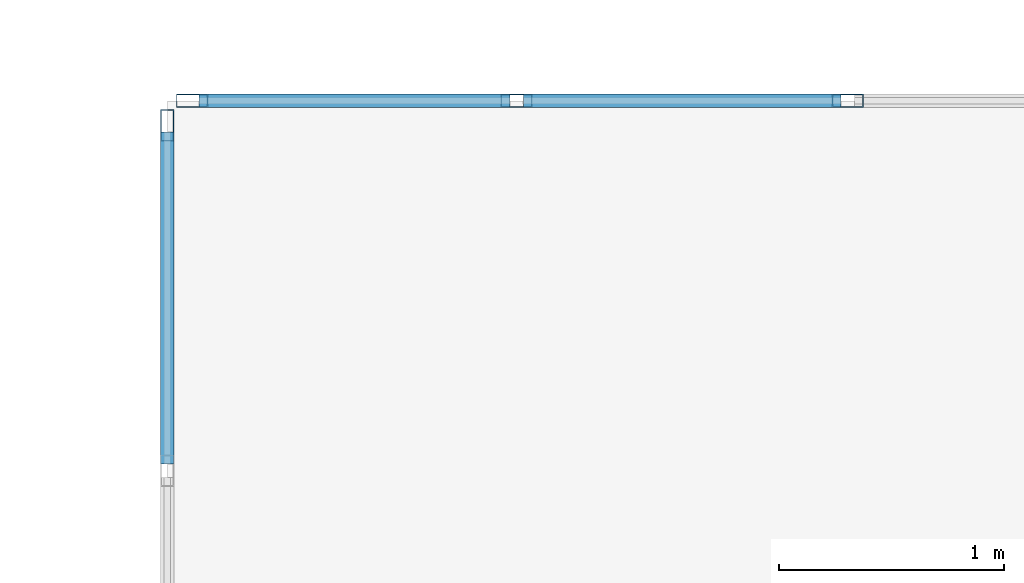
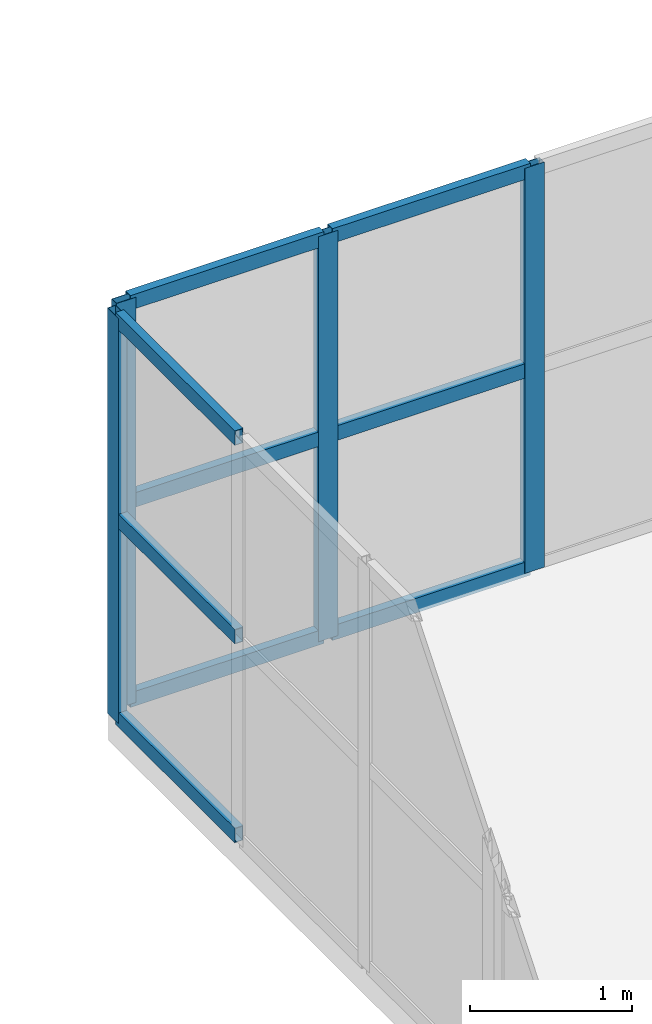
# One storey, part 72 of 148: 13 members, 2 elements without a shape of their own.
"""IFC4 building model written with IfcOpenShell, lengths in metres."""

from ifc_helpers import new_model, si_unit, direction, frame, origin, origin_2d, place, context, subcontext, project, spatial, hollow_rectangle, extrude, material, layer, layer_set, material_profile, profile_set, type_object, element, aggregate, save


model = new_model("IFC4")

# Units and contexts
model_context = context("Model", 3, precision=1e-05, world=origin(), true_north=direction((0.0, 1.0)))
body_context = subcontext(model_context, "Body", "Model", "MODEL_VIEW")
ifc_project = project(units=[si_unit("LENGTHUNIT", "METRE"), si_unit("AREAUNIT", "SQUARE_METRE"), si_unit("VOLUMEUNIT", "CUBIC_METRE"), si_unit("PLANEANGLEUNIT", "RADIAN"), si_unit("MASSUNIT", "GRAM", prefix="KILO")], contexts=[model_context])

# Site, building, storey
site_placement = place(None, origin())
site = spatial("IfcSite", under=ifc_project, at=site_placement, CompositionType="ELEMENT")
building_placement = place(site_placement, origin())
building = spatial("IfcBuilding", under=site, at=building_placement, Name="Trelvath General Hospital", CompositionType="ELEMENT")
storey_placement = place(building_placement, frame((0.0, 0.0, 12.89990234375)))
storey = spatial("IfcBuildingStorey", under=building, at=storey_placement, Name="L03", CompositionType="ELEMENT", Elevation=12.89990234375)

# Curtain wall, members
ifc_material_1 = material(Name="Anodised aluminium and low-E glass", Category="aluminium")
ifc_layer_1 = layer(ifc_material_1, 0.14990234375)
ifc_layer_set_1 = layer_set([ifc_layer_1], Name="Anodised aluminium and low-E glass")
curtain_wall_type_1 = type_object("IfcCurtainWallType", Name="CW CrystalCube 737 306 15", PredefinedType="USERDEFINED", material=ifc_layer_set_1)
curtain_wall_1_placement = place(storey_placement, origin())
curtain_wall_1 = element("IfcCurtainWall", 1, at=curtain_wall_1_placement, inside=storey, type_object=curtain_wall_type_1, Name="Crystal Cube Curtain Wall CUBE-E-T1 N1 L03", ObjectType="Unitised Glazed Curtain Wall", PredefinedType="USERDEFINED")
ifc_material_2 = material(Name="Anodised aluminium", Category="aluminium")
ifc_material_profile_1 = material_profile(ifc_material_2, hollow_rectangle(XDim=0.06005859375, YDim=0.139892578125, WallThickness=0.00390625, at=origin_2d()), Name="RHS60x140x4")
ifc_profile_set_1 = profile_set([ifc_material_profile_1], Name="Anodised aluminium")
member_type_1 = type_object("IfcMemberType", Name="CurtainMullion 60x140", PredefinedType="MULLION", material=ifc_profile_set_1)
member_1_placement = place(storey_placement, frame((92.510009765625, 80.39990234375, 0.0), z_axis=(0.0, 0.0, 1.0), x_axis=(0.0, 1.0, 0.0)))
member_1 = element("IfcMember", 2, at=member_1_placement, type_object=member_type_1, Name="CW-247 mullion 1", PredefinedType="MULLION", context=body_context, shape_type="SweptSolid", body=[
    extrude(hollow_rectangle(XDim=0.06005859375, YDim=0.139892578125, WallThickness=0.00390625, at=origin_2d()), origin(), (0.0, 0.0, 1.0), 3.06005859375),
])
member_2_placement = place(storey_placement, frame((93.953369140625, 80.39990234375, 0.0), z_axis=(0.0, 0.0, 1.0), x_axis=(0.0, 1.0, 0.0)))
member_2 = element("IfcMember", 3, at=member_2_placement, type_object=member_type_1, Name="CW-247 mullion 2", PredefinedType="MULLION", context=body_context, shape_type="SweptSolid", body=[
    extrude(hollow_rectangle(XDim=0.06005859375, YDim=0.139892578125, WallThickness=0.00390625, at=origin_2d()), origin(), (0.0, 0.0, 1.0), 3.06005859375),
])
member_3_placement = place(storey_placement, frame((95.4267578125, 80.39990234375, 0.0), z_axis=(0.0, 0.0, 1.0), x_axis=(0.0, 1.0, 0.0)))
member_3 = element("IfcMember", 4, at=member_3_placement, type_object=member_type_1, Name="CW-247 mullion 3", PredefinedType="MULLION", context=body_context, shape_type="SweptSolid", body=[
    extrude(hollow_rectangle(XDim=0.06005859375, YDim=0.139892578125, WallThickness=0.00390625, at=origin_2d()), origin(), (0.0, 0.0, 1.0), 3.06005859375),
])

# Curtain wall, member
ifc_material_3 = material(Name="Anodised aluminium and low-E glass", Category="aluminium")
ifc_layer_2 = layer(ifc_material_3, 0.14990234375)
ifc_layer_set_2 = layer_set([ifc_layer_2], Name="Anodised aluminium and low-E glass")
curtain_wall_type_2 = type_object("IfcCurtainWallType", Name="CW CrystalCube 470 306 15", PredefinedType="USERDEFINED", material=ifc_layer_set_2)
curtain_wall_2_placement = place(storey_placement, origin())
curtain_wall_2 = element("IfcCurtainWall", 5, at=curtain_wall_2_placement, inside=storey, type_object=curtain_wall_type_2, Name="Crystal Cube Curtain Wall CUBE-E-T1 W5 L03", ObjectType="Unitised Glazed Curtain Wall", PredefinedType="USERDEFINED")
member_4_placement = place(storey_placement, frame((92.39990234375, 80.2900390625, 0.0), z_axis=(0.0, 0.0, 1.0), x_axis=(-1.0, 0.0, 0.0)))
member_4 = element("IfcMember", 6, at=member_4_placement, type_object=member_type_1, Name="CW-257 mullion 4", PredefinedType="MULLION", context=body_context, shape_type="SweptSolid", body=[
    extrude(hollow_rectangle(XDim=0.06005859375, YDim=0.139892578125, WallThickness=0.00390625, at=origin_2d()), origin(), (0.0, 0.0, 1.0), 3.06005859375),
])

# Member
ifc_material_4 = material(Name="Anodised aluminium", Category="aluminium")
ifc_material_profile_2 = material_profile(ifc_material_4, hollow_rectangle(XDim=0.06005859375, YDim=0.110107421875, WallThickness=0.00390625, at=origin_2d()), Name="RHS60x110x4")
ifc_profile_set_2 = profile_set([ifc_material_profile_2], Name="Anodised aluminium")
member_type_2 = type_object("IfcMemberType", Name="CurtainTransom 60x110", PredefinedType="USERDEFINED", material=ifc_profile_set_2)
member_5_placement = place(storey_placement, frame((92.5400390625, 80.39990234375, 0.030029296875), z_axis=(1.0, 0.0, 0.0), x_axis=(0.0, 1.0, 0.0)))
member_5 = element("IfcMember", 7, at=member_5_placement, type_object=member_type_2, Name="CW-247 transom 1.1", ObjectType="TRANSOM", PredefinedType="USERDEFINED", context=body_context, shape_type="SweptSolid", body=[
    extrude(hollow_rectangle(XDim=0.06005859375, YDim=0.110107421875, WallThickness=0.00390625, at=origin_2d()), origin(), (0.0, 0.0, 1.0), 1.38330078125),
])

member_6_placement = place(storey_placement, frame((92.5400390625, 80.39990234375, 1.530029296875), z_axis=(1.0, 0.0, 0.0), x_axis=(0.0, 1.0, 0.0)))
member_6 = element("IfcMember", 8, at=member_6_placement, type_object=member_type_2, Name="CW-247 transom 1.2", ObjectType="TRANSOM", PredefinedType="USERDEFINED", context=body_context, shape_type="SweptSolid", body=[
    extrude(hollow_rectangle(XDim=0.06005859375, YDim=0.110107421875, WallThickness=0.00390625, at=origin_2d()), origin(), (0.0, 0.0, 1.0), 1.38330078125),
])

member_7_placement = place(storey_placement, frame((92.5400390625, 80.39990234375, 3.030029296875), z_axis=(1.0, 0.0, 0.0), x_axis=(0.0, 1.0, 0.0)))
member_7 = element("IfcMember", 9, at=member_7_placement, type_object=member_type_2, Name="CW-247 transom 1.3", ObjectType="TRANSOM", PredefinedType="USERDEFINED", context=body_context, shape_type="SweptSolid", body=[
    extrude(hollow_rectangle(XDim=0.06005859375, YDim=0.110107421875, WallThickness=0.00390625, at=origin_2d()), origin(), (0.0, 0.0, 1.0), 1.38330078125),
])

member_8_placement = place(storey_placement, frame((93.9833984375, 80.39990234375, 0.030029296875), z_axis=(1.0, 0.0, 0.0), x_axis=(0.0, 1.0, 0.0)))
member_8 = element("IfcMember", 10, at=member_8_placement, type_object=member_type_2, Name="CW-247 transom 2.1", ObjectType="TRANSOM", PredefinedType="USERDEFINED", context=body_context, shape_type="SweptSolid", body=[
    extrude(hollow_rectangle(XDim=0.06005859375, YDim=0.110107421875, WallThickness=0.00390625, at=origin_2d()), origin(), (0.0, 0.0, 1.0), 1.413330078125),
])

member_9_placement = place(storey_placement, frame((93.9833984375, 80.39990234375, 1.530029296875), z_axis=(1.0, 0.0, 0.0), x_axis=(0.0, 1.0, 0.0)))
member_9 = element("IfcMember", 11, at=member_9_placement, type_object=member_type_2, Name="CW-247 transom 2.2", ObjectType="TRANSOM", PredefinedType="USERDEFINED", context=body_context, shape_type="SweptSolid", body=[
    extrude(hollow_rectangle(XDim=0.06005859375, YDim=0.110107421875, WallThickness=0.00390625, at=origin_2d()), origin(), (0.0, 0.0, 1.0), 1.413330078125),
])

member_10_placement = place(storey_placement, frame((93.9833984375, 80.39990234375, 3.030029296875), z_axis=(1.0, 0.0, 0.0), x_axis=(0.0, 1.0, 0.0)))
member_10 = element("IfcMember", 12, at=member_10_placement, type_object=member_type_2, Name="CW-247 transom 2.3", ObjectType="TRANSOM", PredefinedType="USERDEFINED", context=body_context, shape_type="SweptSolid", body=[
    extrude(hollow_rectangle(XDim=0.06005859375, YDim=0.110107421875, WallThickness=0.00390625, at=origin_2d()), origin(), (0.0, 0.0, 1.0), 1.413330078125),
])

aggregate(curtain_wall_1, [member_1, member_2, member_3, member_5, member_6, member_7, member_8, member_9, member_10])

member_11_placement = place(storey_placement, frame((92.39990234375, 78.783447265625, 0.030029296875), z_axis=(0.0, 1.0, 0.0), x_axis=(-1.0, 0.0, 0.0)))
member_11 = element("IfcMember", 13, at=member_11_placement, type_object=member_type_2, Name="CW-257 transom 3.1", ObjectType="TRANSOM", PredefinedType="USERDEFINED", context=body_context, shape_type="SweptSolid", body=[
    extrude(hollow_rectangle(XDim=0.06005859375, YDim=0.110107421875, WallThickness=0.00390625, at=origin_2d()), origin(), (0.0, 0.0, 1.0), 1.4765625),
])

member_12_placement = place(storey_placement, frame((92.39990234375, 78.783447265625, 1.530029296875), z_axis=(0.0, 1.0, 0.0), x_axis=(-1.0, 0.0, 0.0)))
member_12 = element("IfcMember", 14, at=member_12_placement, type_object=member_type_2, Name="CW-257 transom 3.2", ObjectType="TRANSOM", PredefinedType="USERDEFINED", context=body_context, shape_type="SweptSolid", body=[
    extrude(hollow_rectangle(XDim=0.06005859375, YDim=0.110107421875, WallThickness=0.00390625, at=origin_2d()), origin(), (0.0, 0.0, 1.0), 1.4765625),
])

member_13_placement = place(storey_placement, frame((92.39990234375, 78.783447265625, 3.030029296875), z_axis=(0.0, 1.0, 0.0), x_axis=(-1.0, 0.0, 0.0)))
member_13 = element("IfcMember", 15, at=member_13_placement, type_object=member_type_2, Name="CW-257 transom 3.3", ObjectType="TRANSOM", PredefinedType="USERDEFINED", context=body_context, shape_type="SweptSolid", body=[
    extrude(hollow_rectangle(XDim=0.06005859375, YDim=0.110107421875, WallThickness=0.00390625, at=origin_2d()), origin(), (0.0, 0.0, 1.0), 1.4765625),
])

aggregate(curtain_wall_2, [member_4, member_11, member_12, member_13])

save(model, "model.ifc")
